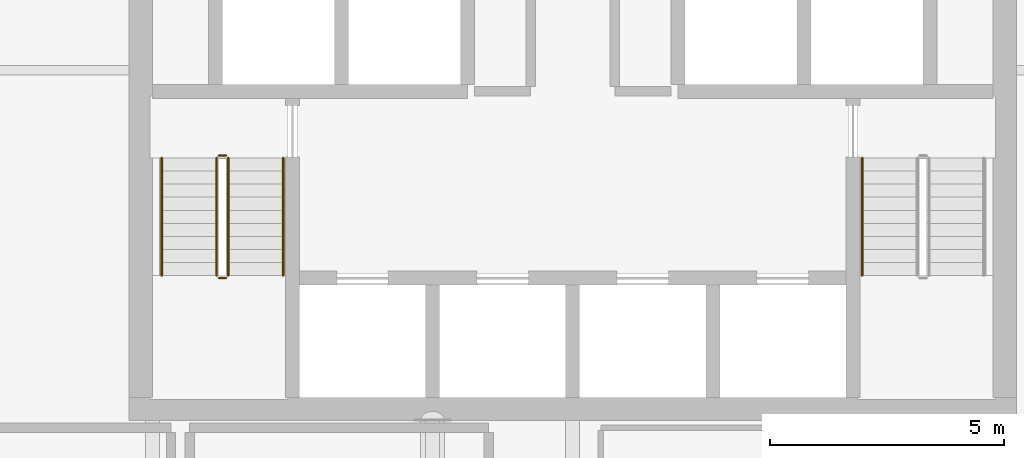
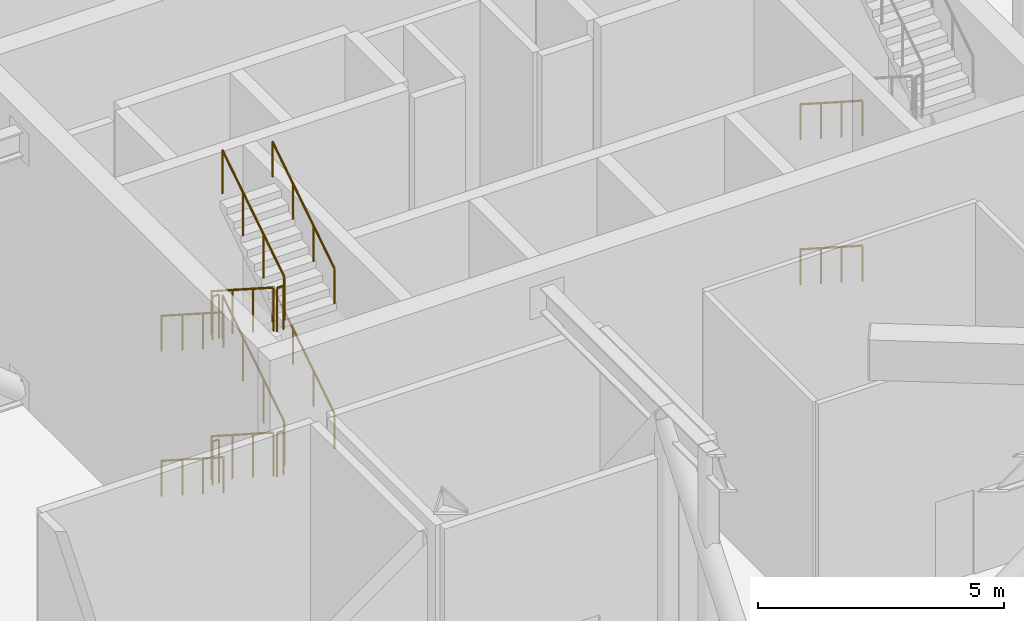
# One storey, part 14 of 17: 14 railings.
"""IFC4 building model written with IfcOpenShell, lengths in metres."""

from ifc_helpers import new_model, si_unit, direction, frame, origin, origin_2d, place, context, subcontext, project, spatial, circle, extrude, material, type_object, element, save


model = new_model("IFC4")

# Units and contexts
model_context = context("Model", 3, precision=1e-05, world=origin(), true_north=direction((0.0, 1.0)))
body_context = subcontext(model_context, "Body", "Model", "MODEL_VIEW")
ifc_project = project(units=[si_unit("LENGTHUNIT", "METRE"), si_unit("AREAUNIT", "SQUARE_METRE"), si_unit("VOLUMEUNIT", "CUBIC_METRE"), si_unit("PLANEANGLEUNIT", "RADIAN"), si_unit("MASSUNIT", "GRAM", prefix="KILO")], contexts=[model_context])

# Site, building, storey
site_placement = place(None, origin())
site = spatial("IfcSite", under=ifc_project, at=site_placement, CompositionType="ELEMENT")
building_placement = place(site_placement, origin())
building = spatial("IfcBuilding", under=site, at=building_placement, Name="Tskaro Facet Tower", CompositionType="ELEMENT")
storey_placement = place(building_placement, frame((0.0, 0.0, 210.0)))
storey = spatial("IfcBuildingStorey", under=building, at=storey_placement, Name="L54", CompositionType="ELEMENT", Elevation=210.0)

# Railings
ifc_material = material(Name="Stainless steel", Category="steel")
railing_type_1 = type_object("IfcRailingType", Name="RL-GUARD-1100", PredefinedType="GUARDRAIL", material=ifc_material)
railing_1_placement = place(storey_placement, frame((-7.625, -6.375, 0.179931640625)))
element("IfcRailing", 1, at=railing_1_placement, inside=storey, type_object=railing_type_1, Name="L54 ST-1 stair guard 1", PredefinedType="GUARDRAIL", context=body_context, shape_type="SweptSolid", body=[
    extrude(circle(Radius=0.02392578125, at=origin_2d()), frame((0.0, 0.0, 1.076171875), z_axis=(0.0, -0.841162588446, 0.540782303519), x_axis=(1.0, 0.0, 0.0)), (0.0, 0.0, 1.0), 2.995849609375),
    extrude(circle(Radius=0.02099609375, at=origin_2d()), origin(), (0.0, 0.0, 1.0), 1.052001953125),
    extrude(circle(Radius=0.02099609375, at=origin_2d()), frame((0.0, -0.840087890625, 0.5400390625)), (0.0, 0.0, 1.0), 1.052001953125),
    extrude(circle(Radius=0.02099609375, at=origin_2d()), frame((0.0, -1.679931640625, 1.080078125)), (0.0, 0.0, 1.0), 1.052001953125),
    extrude(circle(Radius=0.02099609375, at=origin_2d()), frame((0.0, -2.52001953125, 1.6201171875)), (0.0, 0.0, 1.0), 1.052001953125),
])
railing_2_placement = place(storey_placement, frame((-7.574951171875, -8.945068359375, 1.800048828125)))
element("IfcRailing", 2, at=railing_2_placement, inside=storey, type_object=railing_type_1, Name="L54 ST-1 stair guard 2", PredefinedType="GUARDRAIL", context=body_context, shape_type="SweptSolid", body=[
    extrude(circle(Radius=0.02392578125, at=origin_2d()), frame((0.0, 0.0, 1.076171875), z_axis=(1.0, 0.0, 0.0), x_axis=(0.0, 1.0, 0.0)), (0.0, 0.0, 1.0), 0.14990234375),
    extrude(circle(Radius=0.02099609375, at=origin_2d()), origin(), (0.0, 0.0, 1.0), 1.052001953125),
    extrude(circle(Radius=0.02099609375, at=origin_2d()), frame((0.14990234375, 0.0, 0.0)), (0.0, 0.0, 1.0), 1.052001953125),
])
railing_3_placement = place(storey_placement, frame((-7.375, -8.89501953125, 1.97998046875)))
element("IfcRailing", 3, at=railing_3_placement, inside=storey, type_object=railing_type_1, Name="L54 ST-1 stair guard 3", PredefinedType="GUARDRAIL", context=body_context, shape_type="SweptSolid", body=[
    extrude(circle(Radius=0.02392578125, at=origin_2d()), frame((0.0, 0.0, 1.076171875), z_axis=(0.0, 0.841162588446, 0.540782303519), x_axis=(-1.0, 0.0, 0.0)), (0.0, 0.0, 1.0), 2.995849609375),
    extrude(circle(Radius=0.02099609375, at=origin_2d()), origin(), (0.0, 0.0, 1.0), 1.052001953125),
    extrude(circle(Radius=0.02099609375, at=origin_2d()), frame((0.0, 0.840087890625, 0.5400390625)), (0.0, 0.0, 1.0), 1.052001953125),
    extrude(circle(Radius=0.02099609375, at=origin_2d()), frame((0.0, 1.679931640625, 1.080078125)), (0.0, 0.0, 1.0), 1.052001953125),
    extrude(circle(Radius=0.02099609375, at=origin_2d()), frame((0.0, 2.52001953125, 1.6201171875)), (0.0, 0.0, 1.0), 1.052001953125),
])
railing_4_placement = place(storey_placement, frame((-7.574951171875, -6.324951171875, 3.60009765625)))
element("IfcRailing", 4, at=railing_4_placement, inside=storey, type_object=railing_type_1, Name="L54 ST-1 stair guard 4", PredefinedType="GUARDRAIL", context=body_context, shape_type="SweptSolid", body=[
    extrude(circle(Radius=0.02392578125, at=origin_2d()), frame((0.0, 0.0, 1.076171875), z_axis=(1.0, 0.0, 0.0), x_axis=(0.0, 1.0, 0.0)), (0.0, 0.0, 1.0), 0.14990234375),
    extrude(circle(Radius=0.02099609375, at=origin_2d()), origin(), (0.0, 0.0, 1.0), 1.052001953125),
    extrude(circle(Radius=0.02099609375, at=origin_2d()), frame((0.14990234375, 0.0, 0.0)), (0.0, 0.0, 1.0), 1.052001953125),
])
railing_5_placement = place(storey_placement, frame((-7.625, -6.375, 3.780029296875)))
element("IfcRailing", 5, at=railing_5_placement, inside=storey, type_object=railing_type_1, Name="L54 ST-1 stair guard 5", PredefinedType="GUARDRAIL", context=body_context, shape_type="SweptSolid", body=[
    extrude(circle(Radius=0.02392578125, at=origin_2d()), frame((0.0, 0.0, 1.076171875), z_axis=(0.0, -0.841199657755, 0.540724639528), x_axis=(1.0, 0.0, 0.0)), (0.0, 0.0, 1.0), 2.995849609375),
    extrude(circle(Radius=0.02099609375, at=origin_2d()), origin(), (0.0, 0.0, 1.0), 1.052001953125),
    extrude(circle(Radius=0.02099609375, at=origin_2d()), frame((0.0, -0.840087890625, 0.5400390625)), (0.0, 0.0, 1.0), 1.052001953125),
    extrude(circle(Radius=0.02099609375, at=origin_2d()), frame((0.0, -1.679931640625, 1.079833984375)), (0.0, 0.0, 1.0), 1.052001953125),
    extrude(circle(Radius=0.02099609375, at=origin_2d()), frame((0.0, -2.52001953125, 1.619873046875)), (0.0, 0.0, 1.0), 1.052001953125),
])
railing_6_placement = place(storey_placement, frame((-7.574951171875, -8.945068359375, 5.39990234375)))
element("IfcRailing", 6, at=railing_6_placement, inside=storey, type_object=railing_type_1, Name="L54 ST-1 stair guard 6", PredefinedType="GUARDRAIL", context=body_context, shape_type="SweptSolid", body=[
    extrude(circle(Radius=0.02392578125, at=origin_2d()), frame((0.0, 0.0, 1.076171875), z_axis=(1.0, 0.0, 0.0), x_axis=(0.0, 1.0, 0.0)), (0.0, 0.0, 1.0), 0.14990234375),
    extrude(circle(Radius=0.02099609375, at=origin_2d()), origin(), (0.0, 0.0, 1.0), 1.052001953125),
    extrude(circle(Radius=0.02099609375, at=origin_2d()), frame((0.14990234375, 0.0, 0.0)), (0.0, 0.0, 1.0), 1.052001953125),
])
railing_7_placement = place(storey_placement, frame((-7.375, -8.89501953125, 5.580078125)))
element("IfcRailing", 7, at=railing_7_placement, inside=storey, type_object=railing_type_1, Name="L54 ST-1 stair guard 7", PredefinedType="GUARDRAIL", context=body_context, shape_type="SweptSolid", body=[
    extrude(circle(Radius=0.02392578125, at=origin_2d()), frame((0.0, 0.0, 1.076171875), z_axis=(0.0, 0.841199657755, 0.540724639528), x_axis=(-1.0, 0.0, 0.0)), (0.0, 0.0, 1.0), 2.995849609375),
    extrude(circle(Radius=0.02099609375, at=origin_2d()), origin(), (0.0, 0.0, 1.0), 1.052001953125),
    extrude(circle(Radius=0.02099609375, at=origin_2d()), frame((0.0, 0.840087890625, 0.5400390625)), (0.0, 0.0, 1.0), 1.052001953125),
    extrude(circle(Radius=0.02099609375, at=origin_2d()), frame((0.0, 1.679931640625, 1.079833984375)), (0.0, 0.0, 1.0), 1.052001953125),
    extrude(circle(Radius=0.02099609375, at=origin_2d()), frame((0.0, 2.52001953125, 1.619873046875)), (0.0, 0.0, 1.0), 1.052001953125),
])
railing_8_placement = place(storey_placement, frame((-7.574951171875, -6.324951171875, 0.0)))
element("IfcRailing", 8, at=railing_8_placement, inside=storey, type_object=railing_type_1, Name="L54 ST-1 stair guard 8", PredefinedType="GUARDRAIL", context=body_context, shape_type="SweptSolid", body=[
    extrude(circle(Radius=0.02392578125, at=origin_2d()), frame((0.0, 0.0, 1.076171875), z_axis=(1.0, 0.0, 0.0), x_axis=(0.0, 1.0, 0.0)), (0.0, 0.0, 1.0), 0.14990234375),
    extrude(circle(Radius=0.02099609375, at=origin_2d()), origin(), (0.0, 0.0, 1.0), 1.052001953125),
    extrude(circle(Radius=0.02099609375, at=origin_2d()), frame((0.14990234375, 0.0, 0.0)), (0.0, 0.0, 1.0), 1.052001953125),
])
railing_type_2 = type_object("IfcRailingType", Name="RL-HANDRAIL-900", PredefinedType="HANDRAIL", material=ifc_material)
railing_9_placement = place(storey_placement, frame((-8.800048828125, -6.375, 0.179931640625)))
element("IfcRailing", 9, at=railing_9_placement, inside=storey, type_object=railing_type_2, Name="L54 ST-1 stair handrail 1", PredefinedType="HANDRAIL", context=body_context, shape_type="SweptSolid", body=[
    extrude(circle(Radius=0.02392578125, at=origin_2d()), frame((0.0, 0.0, 0.8759765625), z_axis=(0.0, -0.841162588446, 0.540782303519), x_axis=(1.0, 0.0, 0.0)), (0.0, 0.0, 1.0), 2.995849609375),
    extrude(circle(Radius=0.02099609375, at=origin_2d()), origin(), (0.0, 0.0, 1.0), 0.851806640625),
    extrude(circle(Radius=0.02099609375, at=origin_2d()), frame((0.0, -0.840087890625, 0.5400390625)), (0.0, 0.0, 1.0), 0.851806640625),
    extrude(circle(Radius=0.02099609375, at=origin_2d()), frame((0.0, -1.679931640625, 1.080078125)), (0.0, 0.0, 1.0), 0.851806640625),
    extrude(circle(Radius=0.02099609375, at=origin_2d()), frame((0.0, -2.52001953125, 1.6201171875)), (0.0, 0.0, 1.0), 0.851806640625),
])
railing_10_placement = place(storey_placement, frame((-6.199951171875, -8.89501953125, 1.97998046875)))
element("IfcRailing", 10, at=railing_10_placement, inside=storey, type_object=railing_type_2, Name="L54 ST-1 stair handrail 2", PredefinedType="HANDRAIL", context=body_context, shape_type="SweptSolid", body=[
    extrude(circle(Radius=0.02392578125, at=origin_2d()), frame((0.0, 0.0, 0.8759765625), z_axis=(0.0, 0.841162588446, 0.540782303519), x_axis=(-1.0, 0.0, 0.0)), (0.0, 0.0, 1.0), 2.995849609375),
    extrude(circle(Radius=0.02099609375, at=origin_2d()), origin(), (0.0, 0.0, 1.0), 0.851806640625),
    extrude(circle(Radius=0.02099609375, at=origin_2d()), frame((0.0, 0.840087890625, 0.5400390625)), (0.0, 0.0, 1.0), 0.851806640625),
    extrude(circle(Radius=0.02099609375, at=origin_2d()), frame((0.0, 1.679931640625, 1.080078125)), (0.0, 0.0, 1.0), 0.851806640625),
    extrude(circle(Radius=0.02099609375, at=origin_2d()), frame((0.0, 2.52001953125, 1.6201171875)), (0.0, 0.0, 1.0), 0.851806640625),
])
railing_11_placement = place(storey_placement, frame((-8.800048828125, -6.375, 3.780029296875)))
element("IfcRailing", 11, at=railing_11_placement, inside=storey, type_object=railing_type_2, Name="L54 ST-1 stair handrail 3", PredefinedType="HANDRAIL", context=body_context, shape_type="SweptSolid", body=[
    extrude(circle(Radius=0.02392578125, at=origin_2d()), frame((0.0, 0.0, 0.8759765625), z_axis=(0.0, -0.841199657755, 0.540724639528), x_axis=(1.0, 0.0, 0.0)), (0.0, 0.0, 1.0), 2.995849609375),
    extrude(circle(Radius=0.02099609375, at=origin_2d()), origin(), (0.0, 0.0, 1.0), 0.851806640625),
    extrude(circle(Radius=0.02099609375, at=origin_2d()), frame((0.0, -0.840087890625, 0.5400390625)), (0.0, 0.0, 1.0), 0.851806640625),
    extrude(circle(Radius=0.02099609375, at=origin_2d()), frame((0.0, -1.679931640625, 1.079833984375)), (0.0, 0.0, 1.0), 0.851806640625),
    extrude(circle(Radius=0.02099609375, at=origin_2d()), frame((0.0, -2.52001953125, 1.619873046875)), (0.0, 0.0, 1.0), 0.851806640625),
])
railing_12_placement = place(storey_placement, frame((-6.199951171875, -8.89501953125, 5.580078125)))
element("IfcRailing", 12, at=railing_12_placement, inside=storey, type_object=railing_type_2, Name="L54 ST-1 stair handrail 4", PredefinedType="HANDRAIL", context=body_context, shape_type="SweptSolid", body=[
    extrude(circle(Radius=0.02392578125, at=origin_2d()), frame((0.0, 0.0, 0.8759765625), z_axis=(0.0, 0.841199657755, 0.540724639528), x_axis=(-1.0, 0.0, 0.0)), (0.0, 0.0, 1.0), 2.995849609375),
    extrude(circle(Radius=0.02099609375, at=origin_2d()), origin(), (0.0, 0.0, 1.0), 0.851806640625),
    extrude(circle(Radius=0.02099609375, at=origin_2d()), frame((0.0, 0.840087890625, 0.5400390625)), (0.0, 0.0, 1.0), 0.851806640625),
    extrude(circle(Radius=0.02099609375, at=origin_2d()), frame((0.0, 1.679931640625, 1.079833984375)), (0.0, 0.0, 1.0), 0.851806640625),
    extrude(circle(Radius=0.02099609375, at=origin_2d()), frame((0.0, 2.52001953125, 1.619873046875)), (0.0, 0.0, 1.0), 0.851806640625),
])
railing_13_placement = place(storey_placement, frame((6.199951171875, -6.375, 0.179931640625)))
element("IfcRailing", 13, at=railing_13_placement, inside=storey, type_object=railing_type_2, Name="L54 ST-2 stair handrail 1", PredefinedType="HANDRAIL", context=body_context, shape_type="SweptSolid", body=[
    extrude(circle(Radius=0.02392578125, at=origin_2d()), frame((0.0, 0.0, 0.8759765625), z_axis=(0.0, -0.841162588446, 0.540782303519), x_axis=(1.0, 0.0, 0.0)), (0.0, 0.0, 1.0), 2.995849609375),
    extrude(circle(Radius=0.02099609375, at=origin_2d()), origin(), (0.0, 0.0, 1.0), 0.851806640625),
    extrude(circle(Radius=0.02099609375, at=origin_2d()), frame((0.0, -0.840087890625, 0.5400390625)), (0.0, 0.0, 1.0), 0.851806640625),
    extrude(circle(Radius=0.02099609375, at=origin_2d()), frame((0.0, -1.679931640625, 1.080078125)), (0.0, 0.0, 1.0), 0.851806640625),
    extrude(circle(Radius=0.02099609375, at=origin_2d()), frame((0.0, -2.52001953125, 1.6201171875)), (0.0, 0.0, 1.0), 0.851806640625),
])
railing_14_placement = place(storey_placement, frame((6.199951171875, -6.375, 3.780029296875)))
element("IfcRailing", 14, at=railing_14_placement, inside=storey, type_object=railing_type_2, Name="L54 ST-2 stair handrail 3", PredefinedType="HANDRAIL", context=body_context, shape_type="SweptSolid", body=[
    extrude(circle(Radius=0.02392578125, at=origin_2d()), frame((0.0, 0.0, 0.8759765625), z_axis=(0.0, -0.841199657755, 0.540724639528), x_axis=(1.0, 0.0, 0.0)), (0.0, 0.0, 1.0), 2.995849609375),
    extrude(circle(Radius=0.02099609375, at=origin_2d()), origin(), (0.0, 0.0, 1.0), 0.851806640625),
    extrude(circle(Radius=0.02099609375, at=origin_2d()), frame((0.0, -0.840087890625, 0.5400390625)), (0.0, 0.0, 1.0), 0.851806640625),
    extrude(circle(Radius=0.02099609375, at=origin_2d()), frame((0.0, -1.679931640625, 1.079833984375)), (0.0, 0.0, 1.0), 0.851806640625),
    extrude(circle(Radius=0.02099609375, at=origin_2d()), frame((0.0, -2.52001953125, 1.619873046875)), (0.0, 0.0, 1.0), 0.851806640625),
])

save(model, "model.ifc")
